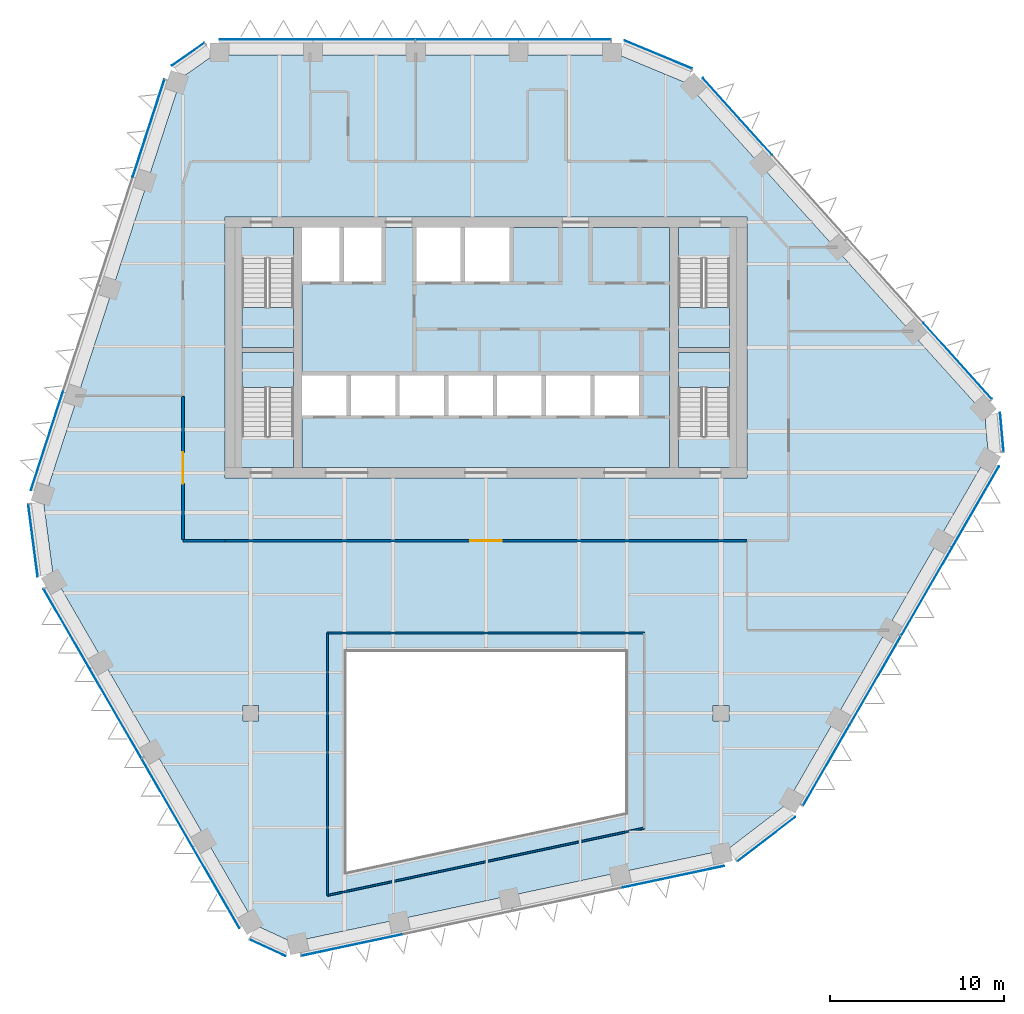
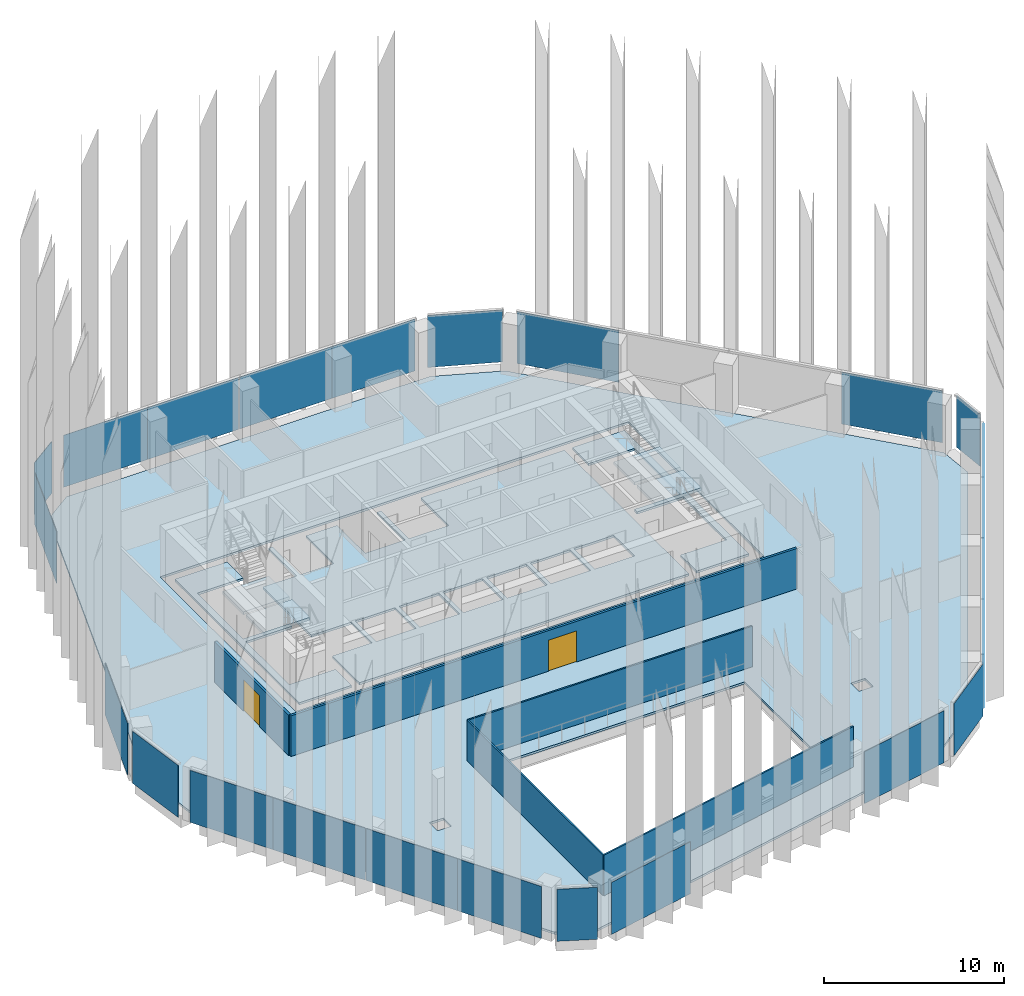
# One storey, part 8 of 18: 24 plates, 8 slabs, 6 walls, 2 doors, 2 openings, 16 elements without a shape of their own.
"""IFC4 building model written with IfcOpenShell, lengths in metres."""

from ifc_helpers import new_model, si_unit, direction, frame, frame_2d, origin, origin_2d, place, context, subcontext, project, spatial, polyline, rectangle, outline, extrude, material, layer, layer_set, type_object, element, fill, aggregate, save


model = new_model("IFC4")

# Units and contexts
model_context = context("Model", 3, precision=1e-05, world=origin(), true_north=direction((0.0, 1.0)))
body_context = subcontext(model_context, "Body", "Model", "MODEL_VIEW")
ifc_project = project(units=[si_unit("LENGTHUNIT", "METRE"), si_unit("AREAUNIT", "SQUARE_METRE"), si_unit("VOLUMEUNIT", "CUBIC_METRE"), si_unit("PLANEANGLEUNIT", "RADIAN"), si_unit("MASSUNIT", "GRAM", prefix="KILO")], contexts=[model_context])

# Site, building, storey
site_placement = place(None, origin())
site = spatial("IfcSite", under=ifc_project, at=site_placement, CompositionType="ELEMENT")
building_placement = place(site_placement, origin())
building = spatial("IfcBuilding", under=site, at=building_placement, Name="Isthmus Gate Tower", CompositionType="ELEMENT")
storey_placement = place(building_placement, frame((0.0, 0.0, 238.199951171875)))
storey = spatial("IfcBuildingStorey", under=building, at=storey_placement, Name="L60", CompositionType="ELEMENT", Elevation=238.199951171875)

# Slabs
ifc_material_1 = material(Name="Concrete f'c 40 MPa", Category="concrete")
ifc_layer_1 = layer(ifc_material_1, 0.14990234375)
ifc_layer_set_1 = layer_set([ifc_layer_1], Name="COMPOSITE FLOOR SLAB 150")
slab_type_1 = type_object("IfcSlabType", Name="COMPOSITE FLOOR SLAB 150", PredefinedType="FLOOR", material=ifc_layer_set_1)
slab_1_placement = place(storey_placement, frame((0.0, 0.0, -0.14990234375)))
element("IfcSlab", 1, at=slab_1_placement, inside=storey, type_object=slab_type_1, Name="str-slab-L60-1", PredefinedType="FLOOR", context=body_context, shape_type="SweptSolid", body=[
    extrude(outline(polyline([(11.539794921875, 22.68310546875), (28.65380859375, 3.67626953125), (28.859375, 1.3857421875), (17.21875, -18.7763671875), (13.874267578125, -21.335205078125), (-11.143310546875, -26.65283203125), (-13.2294921875, -25.685791015625), (-24.8701171875, -5.523681640625), (-25.4140625, -1.347900390625), (-17.510498046875, 22.976806640625), (-15.629638671875, 24.300048828125), (7.6513671875, 24.300048828125), (11.539794921875, 22.68310546875)]), holes=[polyline([(-8.0, -10.0), (-8.0, -22.611083984375), (8.0, -19.210205078125), (8.0, -10.0), (-8.0, -10.0)]), polyline([(-13.949951171875, -13.050048828125), (-13.949951171875, -13.949951171875), (-13.050048828125, -13.949951171875), (-13.050048828125, -13.050048828125), (-13.949951171875, -13.050048828125)]), polyline([(13.050048828125, -13.050048828125), (13.050048828125, -13.949951171875), (13.949951171875, -13.949951171875), (13.949951171875, -13.050048828125), (13.050048828125, -13.050048828125)]), polyline([(-15.0, 0.0), (15.0, 0.0), (15.0, 15.0), (-15.0, 15.0), (-15.0, 0.0)])]), origin(), (0.0, 0.0, 1.0), 0.14990234375),
])
ifc_material_2 = material(Name="Concrete f'c 40 MPa", Category="concrete")
ifc_layer_2 = layer(ifc_material_2, 0.14990234375)
ifc_layer_set_2 = layer_set([ifc_layer_2], Name="CORE FLOOR SLAB 150")
slab_type_2 = type_object("IfcSlabType", Name="CORE FLOOR SLAB 150", PredefinedType="FLOOR", material=ifc_layer_set_2)
slab_2_placement = place(storey_placement, frame((0.0, 0.0, -0.14990234375)))
element("IfcSlab", 2, at=slab_2_placement, inside=storey, type_object=slab_type_2, Name="L60 core floor", PredefinedType="FLOOR", context=body_context, shape_type="SweptSolid", body=[
    extrude(outline(polyline([(-11.050048828125, 0.60009765625), (-11.050048828125, 2.402099609375), (-14.0, 2.402099609375), (-14.0, 7.199951171875), (-11.050048828125, 7.199951171875), (-11.050048828125, 7.5), (-14.0, 7.5), (-14.0, 12.597900390625), (-11.050048828125, 12.597900390625), (-11.050048828125, 14.39990234375), (-14.39990234375, 14.39990234375), (-14.39990234375, 0.60009765625), (-11.050048828125, 0.60009765625)])), origin(), (0.0, 0.0, 1.0), 0.14990234375),
])
slab_3_placement = place(storey_placement, frame((0.0, 0.0, -0.14990234375)))
element("IfcSlab", 3, at=slab_3_placement, inside=storey, type_object=slab_type_2, Name="L60 core floor", PredefinedType="FLOOR", context=body_context, shape_type="SweptSolid", body=[
    extrude(outline(polyline([(10.550048828125, 14.39990234375), (1.35009765625, 14.39990234375), (1.35009765625, 11.300048828125), (-1.199951171875, 11.300048828125), (-1.199951171875, 14.39990234375), (-1.449951171875, 14.39990234375), (-1.449951171875, 11.300048828125), (-4.0, 11.300048828125), (-4.0, 14.39990234375), (-6.0, 14.39990234375), (-6.0, 11.300048828125), (-8.14990234375, 11.300048828125), (-8.14990234375, 14.39990234375), (-8.39990234375, 14.39990234375), (-8.39990234375, 11.300048828125), (-10.550048828125, 11.300048828125), (-10.550048828125, 5.89990234375), (-8.0, 5.89990234375), (-8.0, 3.60009765625), (-10.550048828125, 3.60009765625), (-10.550048828125, 0.60009765625), (10.550048828125, 0.60009765625), (10.550048828125, 14.39990234375)]), holes=[polyline([(-5.199951171875, 5.89990234375), (-5.199951171875, 3.60009765625), (-7.75, 3.60009765625), (-7.75, 5.89990234375), (-5.199951171875, 5.89990234375)]), polyline([(-2.39990234375, 5.89990234375), (-2.39990234375, 3.60009765625), (-4.949951171875, 3.60009765625), (-4.949951171875, 5.89990234375), (-2.39990234375, 5.89990234375)]), polyline([(0.39990234375, 5.89990234375), (0.39990234375, 3.60009765625), (-2.14990234375, 3.60009765625), (-2.14990234375, 5.89990234375), (0.39990234375, 5.89990234375)]), polyline([(3.199951171875, 5.89990234375), (3.199951171875, 3.60009765625), (0.64990234375, 3.60009765625), (0.64990234375, 5.89990234375), (3.199951171875, 5.89990234375)]), polyline([(6.0, 5.89990234375), (6.0, 3.60009765625), (3.449951171875, 3.60009765625), (3.449951171875, 5.89990234375), (6.0, 5.89990234375)]), polyline([(8.800048828125, 5.89990234375), (8.800048828125, 3.60009765625), (6.25, 3.60009765625), (6.25, 5.89990234375), (8.800048828125, 5.89990234375)])]), origin(), (0.0, 0.0, 1.0), 0.14990234375),
])
slab_4_placement = place(storey_placement, frame((0.0, 0.0, -0.14990234375)))
element("IfcSlab", 4, at=slab_4_placement, inside=storey, type_object=slab_type_2, Name="L60 core floor", PredefinedType="FLOOR", context=body_context, shape_type="SweptSolid", body=[
    extrude(outline(polyline([(11.050048828125, 14.39990234375), (11.050048828125, 12.597900390625), (14.0, 12.597900390625), (14.0, 7.5), (11.050048828125, 7.5), (11.050048828125, 7.199951171875), (14.0, 7.199951171875), (14.0, 2.402099609375), (11.050048828125, 2.402099609375), (11.050048828125, 0.60009765625), (14.39990234375, 0.60009765625), (14.39990234375, 14.39990234375), (11.050048828125, 14.39990234375)])), origin(), (0.0, 0.0, 1.0), 0.14990234375),
])

# Curtain wall, plates
ifc_material_3 = material(Name="Aluminium, pale champagne anodised", Category="aluminium")
ifc_layer_3 = layer(ifc_material_3, 0.199951171875)
ifc_layer_set_3 = layer_set([ifc_layer_3], Name="CW-1 UNITISED CURTAIN WALL 200 DEEP")
curtain_wall_type = type_object("IfcCurtainWallType", Name="CW-1 UNITISED CURTAIN WALL 200 DEEP", PredefinedType="NOTDEFINED", material=ifc_layer_set_3)
curtain_wall_1_placement = place(storey_placement, origin())
curtain_wall_1 = element("IfcCurtainWall", 5, at=curtain_wall_1_placement, inside=storey, type_object=curtain_wall_type, Name="CW-1 N L60", PredefinedType="NOTDEFINED")
ifc_material_4 = material(Name="Laminated low-iron glass, pale blue tint", Category="glass")
ifc_layer_4 = layer(ifc_material_4, 0.031982421875)
ifc_layer_set_4 = layer_set([ifc_layer_4], Name="CW-1 CLEAR GLASS LITE 32")
plate_type = type_object("IfcPlateType", Name="CW-1 CLEAR GLASS LITE 32", PredefinedType="CURTAIN_PANEL", material=ifc_layer_set_4)
plate_1_placement = place(storey_placement, frame((4.53076171875, 25.18408203125, 0.0), z_axis=(0.0, 0.0, 1.0), x_axis=(-1.0, 0.0, 0.0)))
plate_1 = element("IfcPlate", 6, at=plate_1_placement, type_object=plate_type, Name="CW-1 glass lite", PredefinedType="CURTAIN_PANEL", context=body_context, shape_type="SweptSolid", body=[
    extrude(rectangle(XDim=5.300537109375, YDim=0.031982421875, at=origin_2d()), origin(), (0.0, 0.0, 1.0), 3.52001953125),
])
plate_2_placement = place(storey_placement, frame((-1.07470703125, 25.18408203125, 0.0), z_axis=(0.0, 0.0, 1.0), x_axis=(-1.0, 0.0, 0.0)))
plate_2 = element("IfcPlate", 7, at=plate_2_placement, type_object=plate_type, Name="CW-1 glass lite", PredefinedType="CURTAIN_PANEL", context=body_context, shape_type="SweptSolid", body=[
    extrude(rectangle(XDim=5.91064453125, YDim=0.031982421875, at=origin_2d()), origin(), (0.0, 0.0, 1.0), 3.52001953125),
])
plate_3_placement = place(storey_placement, frame((-7.015380859375, 25.18408203125, 0.0), z_axis=(0.0, 0.0, 1.0), x_axis=(-1.0, 0.0, 0.0)))
plate_3 = element("IfcPlate", 8, at=plate_3_placement, type_object=plate_type, Name="CW-1 glass lite", PredefinedType="CURTAIN_PANEL", context=body_context, shape_type="SweptSolid", body=[
    extrude(rectangle(XDim=5.8505859375, YDim=0.031982421875, at=origin_2d()), origin(), (0.0, 0.0, 1.0), 3.52001953125),
])
plate_4_placement = place(storey_placement, frame((-12.62109375, 25.18408203125, 0.0), z_axis=(0.0, 0.0, 1.0), x_axis=(-1.0, 0.0, 0.0)))
plate_4 = element("IfcPlate", 9, at=plate_4_placement, type_object=plate_type, Name="CW-1 glass lite", PredefinedType="CURTAIN_PANEL", context=body_context, shape_type="SweptSolid", body=[
    extrude(rectangle(XDim=5.360595703125, YDim=0.031982421875, at=origin_2d()), origin(), (0.0, 0.0, 1.0), 3.52001953125),
])
aggregate(curtain_wall_1, [plate_1, plate_2, plate_3, plate_4])

# Curtain wall, plate
curtain_wall_2_placement = place(storey_placement, origin())
curtain_wall_2 = element("IfcCurtainWall", 10, at=curtain_wall_2_placement, inside=storey, type_object=curtain_wall_type, Name="CW-1 N-NW L60", PredefinedType="NOTDEFINED")
plate_5_placement = place(storey_placement, frame((-17.1025390625, 24.3447265625, 0.0), z_axis=(0.0, 0.0, 1.0), x_axis=(-0.81785959165, -0.57541783805, 0.0)))
plate_5 = element("IfcPlate", 11, at=plate_5_placement, type_object=plate_type, Name="CW-1 glass lite", PredefinedType="CURTAIN_PANEL", context=body_context, shape_type="SweptSolid", body=[
    extrude(rectangle(XDim=2.258544921875, YDim=0.031982421875, at=origin_2d()), origin(), (0.0, 0.0, 1.0), 3.52001953125),
])
aggregate(curtain_wall_2, [plate_5])

# Curtain wall, plates
curtain_wall_3_placement = place(storey_placement, origin())
curtain_wall_3 = element("IfcCurtainWall", 12, at=curtain_wall_3_placement, inside=storey, type_object=curtain_wall_type, Name="CW-1 NW L60", PredefinedType="NOTDEFINED")
plate_6_placement = place(storey_placement, frame((-19.37646484375, 20.0947265625, 0.0), z_axis=(0.0, 0.0, 1.0), x_axis=(-0.309016994375, -0.951056516295, 0.0)))
plate_6 = element("IfcPlate", 13, at=plate_6_placement, type_object=plate_type, Name="CW-1 glass lite", PredefinedType="CURTAIN_PANEL", context=body_context, shape_type="SweptSolid", body=[
    extrude(rectangle(XDim=5.8818359375, YDim=0.031982421875, at=origin_2d()), origin(), (0.0, 0.0, 1.0), 3.52001953125),
])
plate_7_placement = place(storey_placement, frame((-25.215576171875, 2.123779296875, 0.0), z_axis=(0.0, 0.0, 1.0), x_axis=(-0.309016994375, -0.951056516295, 0.0)))
plate_7 = element("IfcPlate", 14, at=plate_7_placement, type_object=plate_type, Name="CW-1 glass lite", PredefinedType="CURTAIN_PANEL", context=body_context, shape_type="SweptSolid", body=[
    extrude(rectangle(XDim=5.94189453125, YDim=0.031982421875, at=origin_2d()), origin(), (0.0, 0.0, 1.0), 3.52001953125),
])
aggregate(curtain_wall_3, [plate_6, plate_7])

# Curtain wall, plate
curtain_wall_4_placement = place(storey_placement, origin())
curtain_wall_4 = element("IfcCurtainWall", 15, at=curtain_wall_4_placement, inside=storey, type_object=curtain_wall_type, Name="CW-1 NW-SW L60", PredefinedType="NOTDEFINED")
plate_8_placement = place(storey_placement, frame((-26.014892578125, -3.57958984375, 0.0), z_axis=(0.0, 0.0, 1.0), x_axis=(0.129164534, -0.991623175988, 0.0)))
plate_8 = element("IfcPlate", 16, at=plate_8_placement, type_object=plate_type, Name="CW-1 glass lite", PredefinedType="CURTAIN_PANEL", context=body_context, shape_type="SweptSolid", body=[
    extrude(rectangle(XDim=4.181396484375, YDim=0.031982421875, at=origin_2d()), origin(), (0.0, 0.0, 1.0), 3.52001953125),
])
aggregate(curtain_wall_4, [plate_8])

# Curtain wall, plates
curtain_wall_5_placement = place(storey_placement, origin())
curtain_wall_5 = element("IfcCurtainWall", 17, at=curtain_wall_5_placement, inside=storey, type_object=curtain_wall_type, Name="CW-1 SW L60", PredefinedType="NOTDEFINED")
plate_9_placement = place(storey_placement, frame((-24.075439453125, -8.668212890625, 0.0), z_axis=(0.0, 0.0, 1.0), x_axis=(0.5, -0.866025403784, 0.0)))
plate_9 = element("IfcPlate", 18, at=plate_9_placement, type_object=plate_type, Name="CW-1 glass lite", PredefinedType="CURTAIN_PANEL", context=body_context, shape_type="SweptSolid", body=[
    extrude(rectangle(XDim=5.300537109375, YDim=0.031982421875, at=origin_2d()), origin(), (0.0, 0.0, 1.0), 3.52001953125),
])
plate_10_placement = place(storey_placement, frame((-21.272705078125, -13.522705078125, 0.0), z_axis=(0.0, 0.0, 1.0), x_axis=(0.5, -0.866025403784, 0.0)))
plate_10 = element("IfcPlate", 19, at=plate_10_placement, type_object=plate_type, Name="CW-1 glass lite", PredefinedType="CURTAIN_PANEL", context=body_context, shape_type="SweptSolid", body=[
    extrude(rectangle(XDim=5.91064453125, YDim=0.031982421875, at=origin_2d()), origin(), (0.0, 0.0, 1.0), 3.52001953125),
])
plate_11_placement = place(storey_placement, frame((-18.30224609375, -18.66748046875, 0.0), z_axis=(0.0, 0.0, 1.0), x_axis=(0.5, -0.866025403784, 0.0)))
plate_11 = element("IfcPlate", 20, at=plate_11_placement, type_object=plate_type, Name="CW-1 glass lite", PredefinedType="CURTAIN_PANEL", context=body_context, shape_type="SweptSolid", body=[
    extrude(rectangle(XDim=5.8505859375, YDim=0.031982421875, at=origin_2d()), origin(), (0.0, 0.0, 1.0), 3.52001953125),
])
plate_12_placement = place(storey_placement, frame((-15.49951171875, -23.52197265625, 0.0), z_axis=(0.0, 0.0, 1.0), x_axis=(0.5, -0.866025403784, 0.0)))
plate_12 = element("IfcPlate", 21, at=plate_12_placement, type_object=plate_type, Name="CW-1 glass lite", PredefinedType="CURTAIN_PANEL", context=body_context, shape_type="SweptSolid", body=[
    extrude(rectangle(XDim=5.360595703125, YDim=0.031982421875, at=origin_2d()), origin(), (0.0, 0.0, 1.0), 3.52001953125),
])
aggregate(curtain_wall_5, [plate_9, plate_10, plate_11, plate_12])

# Curtain wall, plate
curtain_wall_6_placement = place(storey_placement, origin())
curtain_wall_6 = element("IfcCurtainWall", 22, at=curtain_wall_6_placement, inside=storey, type_object=curtain_wall_type, Name="CW-1 SW-S L60", PredefinedType="NOTDEFINED")
plate_13_placement = place(storey_placement, frame((-12.531982421875, -26.9833984375, 0.0), z_axis=(0.0, 0.0, 1.0), x_axis=(0.907256261367, -0.420578264073, 0.0)))
plate_13 = element("IfcPlate", 23, at=plate_13_placement, type_object=plate_type, Name="CW-1 glass lite", PredefinedType="CURTAIN_PANEL", context=body_context, shape_type="SweptSolid", body=[
    extrude(rectangle(XDim=2.258544921875, YDim=0.031982421875, at=origin_2d()), origin(), (0.0, 0.0, 1.0), 3.52001953125),
])
aggregate(curtain_wall_6, [plate_13])

# Curtain wall, plates
curtain_wall_7_placement = place(storey_placement, origin())
curtain_wall_7 = element("IfcCurtainWall", 24, at=curtain_wall_7_placement, inside=storey, type_object=curtain_wall_type, Name="CW-1 S L60", PredefinedType="NOTDEFINED")
plate_14_placement = place(storey_placement, frame((-7.71435546875, -26.827880859375, 0.0), z_axis=(0.0, 0.0, 1.0), x_axis=(0.978147600734, 0.207911690818, 0.0)))
plate_14 = element("IfcPlate", 25, at=plate_14_placement, type_object=plate_type, Name="CW-1 glass lite", PredefinedType="CURTAIN_PANEL", context=body_context, shape_type="SweptSolid", body=[
    extrude(rectangle(XDim=5.8818359375, YDim=0.031982421875, at=origin_2d()), origin(), (0.0, 0.0, 1.0), 3.52001953125),
])
plate_15_placement = place(storey_placement, frame((10.7685546875, -22.899169921875, 0.0), z_axis=(0.0, 0.0, 1.0), x_axis=(0.978147600734, 0.207911690818, 0.0)))
plate_15 = element("IfcPlate", 26, at=plate_15_placement, type_object=plate_type, Name="CW-1 glass lite", PredefinedType="CURTAIN_PANEL", context=body_context, shape_type="SweptSolid", body=[
    extrude(rectangle(XDim=5.94189453125, YDim=0.031982421875, at=origin_2d()), origin(), (0.0, 0.0, 1.0), 3.52001953125),
])
aggregate(curtain_wall_7, [plate_14, plate_15])

# Curtain wall, plate
curtain_wall_8_placement = place(storey_placement, origin())
curtain_wall_8 = element("IfcCurtainWall", 27, at=curtain_wall_8_placement, inside=storey, type_object=curtain_wall_type, Name="CW-1 S-SE L60", PredefinedType="NOTDEFINED")
plate_16_placement = place(storey_placement, frame((16.107421875, -20.73974609375, 0.0), z_axis=(0.0, 0.0, 1.0), x_axis=(0.794188594387, 0.607671355706, 0.0)))
plate_16 = element("IfcPlate", 28, at=plate_16_placement, type_object=plate_type, Name="CW-1 glass lite", PredefinedType="CURTAIN_PANEL", context=body_context, shape_type="SweptSolid", body=[
    extrude(rectangle(XDim=4.181396484375, YDim=0.031982421875, at=origin_2d()), origin(), (0.0, 0.0, 1.0), 3.52001953125),
])
aggregate(curtain_wall_8, [plate_16])

# Curtain wall, plates
curtain_wall_9_placement = place(storey_placement, origin())
curtain_wall_9 = element("IfcCurtainWall", 29, at=curtain_wall_9_placement, inside=storey, type_object=curtain_wall_type, Name="CW-1 SE L60", PredefinedType="NOTDEFINED")
plate_17_placement = place(storey_placement, frame((19.544677734375, -16.515869140625, 0.0), z_axis=(0.0, 0.0, 1.0), x_axis=(0.5, 0.866025403784, 0.0)))
plate_17 = element("IfcPlate", 30, at=plate_17_placement, type_object=plate_type, Name="CW-1 glass lite", PredefinedType="CURTAIN_PANEL", context=body_context, shape_type="SweptSolid", body=[
    extrude(rectangle(XDim=5.300537109375, YDim=0.031982421875, at=origin_2d()), origin(), (0.0, 0.0, 1.0), 3.52001953125),
])
plate_18_placement = place(storey_placement, frame((22.347412109375, -11.6611328125, 0.0), z_axis=(0.0, 0.0, 1.0), x_axis=(0.5, 0.866025403784, 0.0)))
plate_18 = element("IfcPlate", 31, at=plate_18_placement, type_object=plate_type, Name="CW-1 glass lite", PredefinedType="CURTAIN_PANEL", context=body_context, shape_type="SweptSolid", body=[
    extrude(rectangle(XDim=5.91064453125, YDim=0.031982421875, at=origin_2d()), origin(), (0.0, 0.0, 1.0), 3.52001953125),
])
plate_19_placement = place(storey_placement, frame((25.317626953125, -6.5166015625, 0.0), z_axis=(0.0, 0.0, 1.0), x_axis=(0.5, 0.866025403784, 0.0)))
plate_19 = element("IfcPlate", 32, at=plate_19_placement, type_object=plate_type, Name="CW-1 glass lite", PredefinedType="CURTAIN_PANEL", context=body_context, shape_type="SweptSolid", body=[
    extrude(rectangle(XDim=5.8505859375, YDim=0.031982421875, at=origin_2d()), origin(), (0.0, 0.0, 1.0), 3.52001953125),
])
plate_20_placement = place(storey_placement, frame((28.120361328125, -1.661865234375, 0.0), z_axis=(0.0, 0.0, 1.0), x_axis=(0.5, 0.866025403784, 0.0)))
plate_20 = element("IfcPlate", 33, at=plate_20_placement, type_object=plate_type, Name="CW-1 glass lite", PredefinedType="CURTAIN_PANEL", context=body_context, shape_type="SweptSolid", body=[
    extrude(rectangle(XDim=5.360595703125, YDim=0.031982421875, at=origin_2d()), origin(), (0.0, 0.0, 1.0), 3.52001953125),
])
aggregate(curtain_wall_9, [plate_17, plate_18, plate_19, plate_20])

# Curtain wall, plate
curtain_wall_10_placement = place(storey_placement, origin())
curtain_wall_10 = element("IfcCurtainWall", 34, at=curtain_wall_10_placement, inside=storey, type_object=curtain_wall_type, Name="CW-1 SE-NE L60", PredefinedType="NOTDEFINED")
plate_21_placement = place(storey_placement, frame((29.63427734375, 2.638671875, 0.0), z_axis=(0.0, 0.0, 1.0), x_axis=(-0.089396669717, 0.995996102123, 0.0)))
plate_21 = element("IfcPlate", 35, at=plate_21_placement, type_object=plate_type, Name="CW-1 glass lite", PredefinedType="CURTAIN_PANEL", context=body_context, shape_type="SweptSolid", body=[
    extrude(rectangle(XDim=2.258544921875, YDim=0.031982421875, at=origin_2d()), origin(), (0.0, 0.0, 1.0), 3.52001953125),
])
aggregate(curtain_wall_10, [plate_21])

# Curtain wall, plates
curtain_wall_11_placement = place(storey_placement, origin())
curtain_wall_11 = element("IfcCurtainWall", 36, at=curtain_wall_11_placement, inside=storey, type_object=curtain_wall_type, Name="CW-1 NE L60", PredefinedType="NOTDEFINED")
plate_22_placement = place(storey_placement, frame((27.0908203125, 6.733154296875, 0.0), z_axis=(0.0, 0.0, 1.0), x_axis=(-0.669130606359, 0.743144825477, 0.0)))
plate_22 = element("IfcPlate", 37, at=plate_22_placement, type_object=plate_type, Name="CW-1 glass lite", PredefinedType="CURTAIN_PANEL", context=body_context, shape_type="SweptSolid", body=[
    extrude(rectangle(XDim=5.8818359375, YDim=0.031982421875, at=origin_2d()), origin(), (0.0, 0.0, 1.0), 3.52001953125),
])
plate_23_placement = place(storey_placement, frame((14.447021484375, 20.775390625, 0.0), z_axis=(0.0, 0.0, 1.0), x_axis=(-0.669130606359, 0.743144825477, 0.0)))
plate_23 = element("IfcPlate", 38, at=plate_23_placement, type_object=plate_type, Name="CW-1 glass lite", PredefinedType="CURTAIN_PANEL", context=body_context, shape_type="SweptSolid", body=[
    extrude(rectangle(XDim=5.94189453125, YDim=0.031982421875, at=origin_2d()), origin(), (0.0, 0.0, 1.0), 3.52001953125),
])
aggregate(curtain_wall_11, [plate_22, plate_23])

# Curtain wall, plate
curtain_wall_12_placement = place(storey_placement, origin())
curtain_wall_12 = element("IfcCurtainWall", 39, at=curtain_wall_12_placement, inside=storey, type_object=curtain_wall_type, Name="CW-1 NE-N L60", PredefinedType="NOTDEFINED")
plate_24_placement = place(storey_placement, frame((9.907470703125, 24.3193359375, 0.0), z_axis=(0.0, 0.0, 1.0), x_axis=(-0.923353128387, 0.383951820282, 0.0)))
plate_24 = element("IfcPlate", 40, at=plate_24_placement, type_object=plate_type, Name="CW-1 glass lite", PredefinedType="CURTAIN_PANEL", context=body_context, shape_type="SweptSolid", body=[
    extrude(rectangle(XDim=4.181396484375, YDim=0.031982421875, at=origin_2d()), origin(), (0.0, 0.0, 1.0), 3.52001953125),
])
aggregate(curtain_wall_12, [plate_24])

# Stair, slab
ifc_material_5 = material(Name="Concrete f'c 40 MPa", Category="concrete")
stair_type = type_object("IfcStairType", Name="CORE STAIR 22 RISERS", PredefinedType="HALF_TURN_STAIR", material=ifc_material_5)
stair_1_placement = place(storey_placement, origin())
stair_1 = element("IfcStair", 41, at=stair_1_placement, inside=storey, type_object=stair_type, Name="L60 Exit Stair 1", PredefinedType="HALF_TURN_STAIR")
ifc_material_6 = material(Name="Concrete f'c 40 MPa", Category="concrete")
ifc_layer_5 = layer(ifc_material_6, 0.199951171875)
ifc_layer_set_5 = layer_set([ifc_layer_5])
slab_type_3 = type_object("IfcSlabType", Name="STAIR LANDING RC 200", PredefinedType="LANDING", material=ifc_layer_set_5)
slab_5_placement = place(storey_placement, frame((0.0, 0.0, 1.625)))
slab_5 = element("IfcSlab", 42, at=slab_5_placement, type_object=slab_type_3, Name="ST1 landing 1", PredefinedType="LANDING", context=body_context, shape_type="SweptSolid", body=[
    extrude(outline(polyline([(-14.0, 9.800048828125), (-14.0, 7.5), (-11.050048828125, 7.5), (-11.050048828125, 9.800048828125), (-14.0, 9.800048828125)])), origin(), (0.0, 0.0, 1.0), 0.199951171875),
])
aggregate(stair_1, [slab_5])

stair_2_placement = place(storey_placement, origin())
stair_2 = element("IfcStair", 43, at=stair_2_placement, inside=storey, type_object=stair_type, Name="L60 Exit Stair 2", PredefinedType="HALF_TURN_STAIR")
slab_6_placement = place(storey_placement, frame((0.0, 0.0, 1.625)))
slab_6 = element("IfcSlab", 44, at=slab_6_placement, type_object=slab_type_3, Name="ST2 landing 1", PredefinedType="LANDING", context=body_context, shape_type="SweptSolid", body=[
    extrude(outline(polyline([(11.050048828125, 9.800048828125), (11.050048828125, 7.5), (14.0, 7.5), (14.0, 9.800048828125), (11.050048828125, 9.800048828125)])), origin(), (0.0, 0.0, 1.0), 0.199951171875),
])
aggregate(stair_2, [slab_6])

stair_3_placement = place(storey_placement, origin())
stair_3 = element("IfcStair", 45, at=stair_3_placement, inside=storey, type_object=stair_type, Name="L60 Exit Stair 7", PredefinedType="HALF_TURN_STAIR")
slab_7_placement = place(storey_placement, frame((0.0, 0.0, 1.625)))
slab_7 = element("IfcSlab", 46, at=slab_7_placement, type_object=slab_type_3, Name="ST7 landing 1", PredefinedType="LANDING", context=body_context, shape_type="SweptSolid", body=[
    extrude(outline(polyline([(-11.050048828125, 5.199951171875), (-11.050048828125, 7.199951171875), (-14.0, 7.199951171875), (-14.0, 5.199951171875), (-11.050048828125, 5.199951171875)])), origin(), (0.0, 0.0, 1.0), 0.199951171875),
])
aggregate(stair_3, [slab_7])

stair_4_placement = place(storey_placement, origin())
stair_4 = element("IfcStair", 47, at=stair_4_placement, inside=storey, type_object=stair_type, Name="L60 Exit Stair 8", PredefinedType="HALF_TURN_STAIR")
slab_8_placement = place(storey_placement, frame((0.0, 0.0, 1.625)))
slab_8 = element("IfcSlab", 48, at=slab_8_placement, type_object=slab_type_3, Name="ST8 landing 1", PredefinedType="LANDING", context=body_context, shape_type="SweptSolid", body=[
    extrude(outline(polyline([(14.0, 5.199951171875), (14.0, 7.199951171875), (11.050048828125, 7.199951171875), (11.050048828125, 5.199951171875), (14.0, 5.199951171875)])), origin(), (0.0, 0.0, 1.0), 0.199951171875),
])
aggregate(stair_4, [slab_8])

# Walls
ifc_material_7 = material(Name="Fire-rated laminated glass in steel frame", Category="steel")
ifc_layer_6 = layer(ifc_material_7, 0.10009765625)
ifc_layer_set_6 = layer_set([ifc_layer_6], Name="ATRIUM SCREEN GLAZED WALL 100 120 MIN")
wall_type_1 = type_object("IfcWallType", Name="ATRIUM SCREEN GLAZED WALL 100 120 MIN", PredefinedType="PARTITIONING", material=ifc_layer_set_6)
wall_1_placement = place(storey_placement, frame((-9.10009765625, -8.89990234375, 0.0), z_axis=(0.0, 0.0, 1.0), x_axis=(1.0, 0.0, 0.0)))
element("IfcWall", 49, at=wall_1_placement, inside=storey, type_object=wall_type_1, Name="L60 atrium screen", PredefinedType="PARTITIONING", context=body_context, shape_type="SweptSolid", body=[
    extrude(rectangle(XDim=18.2001953125, YDim=0.10009765625, at=frame_2d((9.10009765625, 0.0))), origin(), (0.0, 0.0, 1.0), 2.750732421875),
])
wall_2_placement = place(storey_placement, frame((9.10009765625, -20.100830078125, 0.0), z_axis=(0.0, 0.0, 1.0), x_axis=(-0.978146710971, -0.207915876778, 0.0)))
element("IfcWall", 50, at=wall_2_placement, inside=storey, type_object=wall_type_1, Name="L60 atrium screen", PredefinedType="PARTITIONING", context=body_context, shape_type="SweptSolid", body=[
    extrude(rectangle(XDim=18.60693359375, YDim=0.10009765625, at=frame_2d((9.303466796875, 0.0))), origin(), (0.0, 0.0, 1.0), 2.750732421875),
])
wall_3_placement = place(storey_placement, frame((-9.10009765625, -23.969482421875, 0.0), z_axis=(0.0, 0.0, 1.0), x_axis=(0.0, 1.0, 0.0)))
element("IfcWall", 51, at=wall_3_placement, inside=storey, type_object=wall_type_1, Name="L60 atrium screen", PredefinedType="PARTITIONING", context=body_context, shape_type="SweptSolid", body=[
    extrude(rectangle(XDim=15.069580078125, YDim=0.10009765625, at=frame_2d((7.53466796875, 0.0))), origin(), (0.0, 0.0, 1.0), 2.750732421875),
])

# Wall, opening, door
ifc_material_8 = material(Name="Gypsum board on steel studs, fire-rated", Category="steel")
ifc_layer_7 = layer(ifc_material_8, 0.14990234375)
ifc_layer_set_7 = layer_set([ifc_layer_7], Name="CORRIDOR WALL 150 60 MIN")
wall_type_2 = type_object("IfcWallType", Name="CORRIDOR WALL 150 60 MIN", PredefinedType="PARTITIONING", material=ifc_layer_set_7)
wall_4_placement = place(storey_placement, frame((15.0, -3.60009765625, 0.0), z_axis=(0.0, 0.0, 1.0), x_axis=(-1.0, 0.0, 0.0)))
wall_4 = element("IfcWall", 52, at=wall_4_placement, inside=storey, type_object=wall_type_2, Name="L60 Corridor Wall 150 60 Min", PredefinedType="PARTITIONING", context=body_context, shape_type="SweptSolid", body=[
    extrude(rectangle(XDim=30.0, YDim=0.14990234375, at=frame_2d((15.0, 0.0))), origin(), (0.0, 0.0, 1.0), 2.750732421875),
])
opening_1_placement = place(wall_4_placement, frame((14.10009765625, 0.0, 0.0)))
opening_1 = element("IfcOpeningElement", 53, at=opening_1_placement, cuts=wall_4, Name="Opening DT-T5C-06", PredefinedType="OPENING", context=body_context, shape_type="SweptSolid", body=[
    extrude(rectangle(XDim=1.800048828125, YDim=2.10009765625, at=frame_2d((0.89990234375, 1.050048828125))), frame((0.0, 0.0849609375, 0.0), z_axis=(0.0, -1.0, 0.0), x_axis=(1.0, 0.0, 0.0)), (0.0, 0.0, 1.0), 0.169921875),
])
ifc_material_9 = material(Name="Solid core timber door leaf, fire-rated", Category="wood")
door_type = type_object("IfcDoorType", Name="FIRE DOOR ROOM 1800 X 2100 60 MIN", OperationType="DOUBLE_DOOR_DOUBLE_SWING", PredefinedType="DOOR", material=ifc_material_9)
door_1_placement = place(opening_1_placement, origin())
door_1 = element("IfcDoor", 54, at=door_1_placement, inside=storey, type_object=door_type, Name="L60 room door", OperationType="DOUBLE_DOOR_DOUBLE_SWING", OverallHeight=2.10009765625, OverallWidth=1.800048828125, PredefinedType="DOOR", context=body_context, shape_type="SweptSolid", body=[
    extrude(rectangle(XDim=1.800048828125, YDim=2.10009765625, at=frame_2d((0.89990234375, 1.050048828125))), frame((0.0, 0.02490234375, 0.0), z_axis=(0.0, -1.0, 0.0), x_axis=(1.0, 0.0, 0.0)), (0.0, 0.0, 1.0), 0.050048828125),
])
fill(opening_1, door_1)

# Wall
wall_5_placement = place(storey_placement, frame((-15.0, -3.60009765625, 0.0), z_axis=(0.0, 0.0, 1.0), x_axis=(-1.0, 0.0, 0.0)))
element("IfcWall", 55, at=wall_5_placement, inside=storey, type_object=wall_type_2, Name="L60 Corridor Wall 150 60 Min", PredefinedType="PARTITIONING", context=body_context, shape_type="SweptSolid", body=[
    extrude(rectangle(XDim=2.39990234375, YDim=0.14990234375, at=frame_2d((1.199951171875, 0.0))), origin(), (0.0, 0.0, 1.0), 2.750732421875),
])

# Wall, opening, door
wall_6_placement = place(storey_placement, frame((-17.39990234375, -3.52490234375, 0.0), z_axis=(0.0, 0.0, 1.0), x_axis=(0.0, 1.0, 0.0)))
wall_6 = element("IfcWall", 56, at=wall_6_placement, inside=storey, type_object=wall_type_2, Name="L60 Corridor Wall 150 60 Min", PredefinedType="PARTITIONING", context=body_context, shape_type="SweptSolid", body=[
    extrude(rectangle(XDim=8.197998046875, YDim=0.14990234375, at=frame_2d((4.09912109375, 0.0))), origin(), (0.0, 0.0, 1.0), 2.750732421875),
])
opening_2_placement = place(wall_6_placement, frame((3.198974609375, 0.0, 0.0)))
opening_2 = element("IfcOpeningElement", 57, at=opening_2_placement, cuts=wall_6, Name="Opening DT-T5C-07", PredefinedType="OPENING", context=body_context, shape_type="SweptSolid", body=[
    extrude(rectangle(XDim=1.800048828125, YDim=2.10009765625, at=frame_2d((0.89990234375, 1.050048828125))), frame((0.0, 0.0849609375, 0.0), z_axis=(0.0, -1.0, 0.0), x_axis=(1.0, 0.0, 0.0)), (0.0, 0.0, 1.0), 0.169921875),
])
door_2_placement = place(opening_2_placement, origin())
door_2 = element("IfcDoor", 58, at=door_2_placement, inside=storey, type_object=door_type, Name="L60 room door", OperationType="DOUBLE_DOOR_DOUBLE_SWING", OverallHeight=2.10009765625, OverallWidth=1.800048828125, PredefinedType="DOOR", context=body_context, shape_type="SweptSolid", body=[
    extrude(rectangle(XDim=1.800048828125, YDim=2.10009765625, at=frame_2d((0.89990234375, 1.050048828125))), frame((0.0, 0.02490234375, 0.0), z_axis=(0.0, -1.0, 0.0), x_axis=(1.0, 0.0, 0.0)), (0.0, 0.0, 1.0), 0.050048828125),
])
fill(opening_2, door_2)

save(model, "model.ifc")
